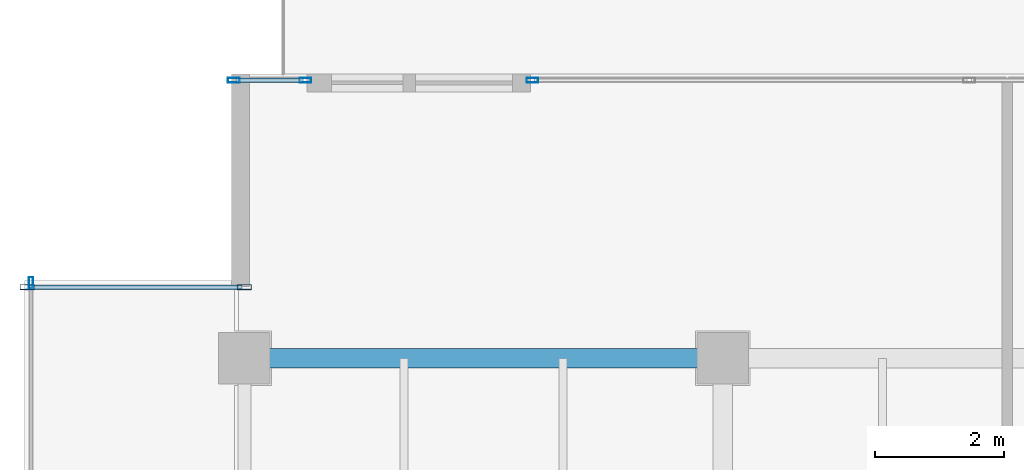
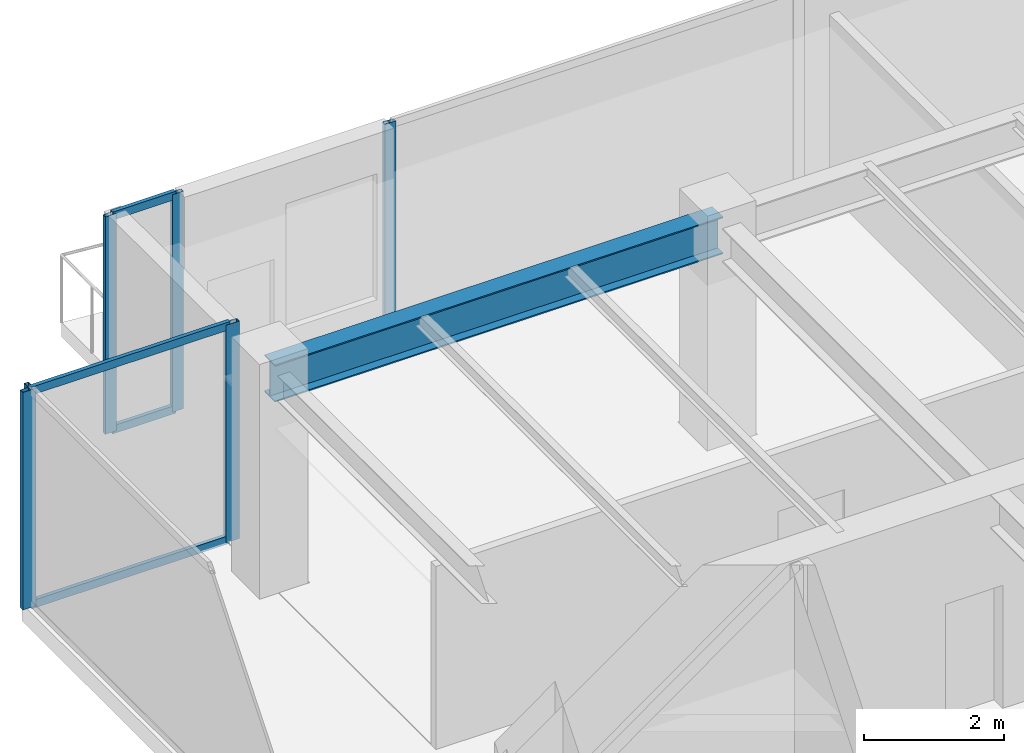
# One storey, part 14 of 35: 10 members, 1 beam, 4 elements without a shape of their own.
"""IFC4 building model written with IfcOpenShell, lengths in metres."""

from ifc_helpers import new_model, si_unit, direction, frame, origin, origin_2d, place, context, subcontext, project, spatial, hollow_rectangle, i_section, extrude, source, transform, mapped, material, layer, layer_set, material_profile, profile_set, type_object, type_shapes, element, aggregate, save


model = new_model("IFC4")

# Units and contexts
model_context = context("Model", 3, precision=1e-05, world=origin(), true_north=direction((0.0, 1.0)))
body_context = subcontext(model_context, "Body", "Model", "MODEL_VIEW")
ifc_project = project(units=[si_unit("LENGTHUNIT", "METRE"), si_unit("AREAUNIT", "SQUARE_METRE"), si_unit("VOLUMEUNIT", "CUBIC_METRE"), si_unit("PLANEANGLEUNIT", "RADIAN"), si_unit("MASSUNIT", "GRAM", prefix="KILO")], contexts=[model_context])

# Site, building, storey
site_placement = place(None, origin())
site = spatial("IfcSite", under=ifc_project, at=site_placement, CompositionType="ELEMENT")
building_placement = place(site_placement, origin())
building = spatial("IfcBuilding", under=site, at=building_placement, Name="Haelvirn Gate Laboratories", CompositionType="ELEMENT")
storey_placement = place(building_placement, frame((0.0, 0.0, 283.39990234375)))
storey = spatial("IfcBuildingStorey", under=building, at=storey_placement, Name="L68", CompositionType="ELEMENT", Elevation=283.39990234375)

# Beam
ifc_material_1 = material(Name="Steel SM355", Category="steel")
ifc_material_profile_1 = material_profile(ifc_material_1, i_section(OverallWidth=0.300048828125, OverallDepth=0.64990234375, WebThickness=0.012939453125, FlangeThickness=0.02197265625, at=origin_2d()), Name="H-650x300x13x22")
ifc_profile_set_1 = profile_set([ifc_material_profile_1], Name="Steel SM355")
beam_type = type_object("IfcBeamType", Name="BM-G-650", PredefinedType="BEAM", material=ifc_profile_set_1)
shared_shape_1 = source(origin(), body_context, "Body", "SweptSolid", [
    extrude(i_section(OverallWidth=0.300048828125, OverallDepth=0.64990234375, WebThickness=0.012939453125, FlangeThickness=0.02197265625, at=origin_2d()), origin(), (0.0, 0.0, 1.0), 7.400146484375),
])
type_shapes(beam_type, [shared_shape_1])
beam_placement = place(storey_placement, frame((7.39990234375, 41.60009765625, 3.47509765625), z_axis=(1.0, 0.0, 0.0), x_axis=(0.0, 1.0, 0.0)))
element("IfcBeam", 1, at=beam_placement, inside=storey, type_object=beam_type, Name="L68 Primary Girder Y41.6 (7.4-14.8)", PredefinedType="BEAM", context=body_context, shape_type="MappedRepresentation", body=[
    mapped(shared_shape_1, transform((0.0, 0.0, 0.0), scale=1.0)),
])

# Curtain wall, members
ifc_material_2 = material(Name="Anodised bronze unitised aluminium & triple low-E glass", Category="aluminium")
ifc_layer_1 = layer(ifc_material_2, 0.181884765625, Name="CW-SYS-5")
ifc_layer_set_1 = layer_set([ifc_layer_1], Name="Anodised bronze unitised aluminium & triple low-E glass")
curtain_wall_type_1 = type_object("IfcCurtainWallType", Name="CW-SYS-5", PredefinedType="NOTDEFINED", material=ifc_layer_set_1)
curtain_wall_1_placement = place(storey_placement, origin())
curtain_wall_1 = element("IfcCurtainWall", 2, at=curtain_wall_1_placement, inside=storey, type_object=curtain_wall_type_1, Name="L68 Unitised Curtain Wall CW-L68-P0-E16-1", PredefinedType="NOTDEFINED")
ifc_material_3 = material(Name="Extruded aluminium 6063-T6 (anodised bronze)", Category="aluminium")
ifc_material_profile_2 = material_profile(ifc_material_3, hollow_rectangle(XDim=0.06494140625, YDim=0.139892578125, WallThickness=0.00390625, at=origin_2d()), Name="CWT-140x65x4")
ifc_profile_set_2 = profile_set([ifc_material_profile_2], Name="Extruded aluminium 6063-T6 (anodised bronze)")
member_type_1 = type_object("IfcMemberType", Name="CWT-T140", PredefinedType="USERDEFINED", material=ifc_profile_set_2)
shared_shape_2 = source(origin(), body_context, "Body", "SweptSolid", [
    extrude(hollow_rectangle(XDim=0.06494140625, YDim=0.139892578125, WallThickness=0.00390625, at=origin_2d()), origin(), (0.0, 0.0, 1.0), 3.280029296875),
])
member_1_placement = place(storey_placement, frame((4.080078125, 42.699951171875, 0.03271484375), z_axis=(1.0, 0.0, 0.0), x_axis=(0.0, 1.0, 0.0)))
member_1 = element("IfcMember", 3, at=member_1_placement, type_object=member_type_1, Name="CW5 transom 1.1", ObjectType="TRANSOM", PredefinedType="USERDEFINED", context=body_context, shape_type="MappedRepresentation", body=[
    mapped(shared_shape_2, transform((0.0, 0.0, 0.0), scale=1.0)),
])
member_2_placement = place(storey_placement, frame((4.080078125, 42.699951171875, 3.767578125), z_axis=(1.0, 0.0, 0.0), x_axis=(0.0, 1.0, 0.0)))
member_2 = element("IfcMember", 4, at=member_2_placement, type_object=member_type_1, Name="CW5 transom 1.2", ObjectType="TRANSOM", PredefinedType="USERDEFINED", context=body_context, shape_type="MappedRepresentation", body=[
    mapped(shared_shape_2, transform((0.0, 0.0, 0.0), scale=1.0)),
])

ifc_layer_2 = layer(ifc_material_2, 0.176025390625, Name="CW-SYS-4")
ifc_layer_set_2 = layer_set([ifc_layer_2], Name="Anodised bronze unitised aluminium & triple low-E glass")
curtain_wall_type_2 = type_object("IfcCurtainWallType", Name="CW-SYS-4", PredefinedType="NOTDEFINED", material=ifc_layer_set_2)
curtain_wall_2_placement = place(storey_placement, origin())
curtain_wall_2 = element("IfcCurtainWall", 5, at=curtain_wall_2_placement, inside=storey, type_object=curtain_wall_type_2, Name="L68 Unitised Curtain Wall CW-L68-P0-E14-1", PredefinedType="NOTDEFINED")
ifc_material_profile_3 = material_profile(ifc_material_3, hollow_rectangle(XDim=0.070068359375, YDim=0.179931640625, WallThickness=0.0048828125, at=origin_2d()), Name="CWM-180x70x5")
ifc_profile_set_3 = profile_set([ifc_material_profile_3], Name="Extruded aluminium 6063-T6 (anodised bronze)")
member_type_2 = type_object("IfcMemberType", Name="CWM-T180", PredefinedType="MULLION", material=ifc_profile_set_3)
shared_shape_3 = source(origin(), body_context, "Body", "SweptSolid", [
    extrude(hollow_rectangle(XDim=0.070068359375, YDim=0.179931640625, WallThickness=0.0048828125, at=origin_2d()), origin(), (0.0, 0.0, 1.0), 3.800048828125),
])
type_shapes(member_type_2, [shared_shape_3])
member_3_placement = place(storey_placement, frame((7.235107421875, 45.89990234375, 0.0), z_axis=(0.0, 0.0, 1.0), x_axis=(0.0, 1.0, 0.0)))
member_3 = element("IfcMember", 6, at=member_3_placement, type_object=member_type_2, Name="CW4 mullion 1", PredefinedType="MULLION", context=body_context, shape_type="MappedRepresentation", body=[
    mapped(shared_shape_3, transform((0.0, 0.0, 0.0), scale=1.0)),
])
member_4_placement = place(storey_placement, frame((8.344970703125, 45.89990234375, 0.0), z_axis=(0.0, 0.0, 1.0), x_axis=(0.0, 1.0, 0.0)))
member_4 = element("IfcMember", 7, at=member_4_placement, type_object=member_type_2, Name="CW4 mullion 2", PredefinedType="MULLION", context=body_context, shape_type="MappedRepresentation", body=[
    mapped(shared_shape_3, transform((0.0, 0.0, 0.0), scale=1.0)),
])

# Curtain wall, member
curtain_wall_3_placement = place(storey_placement, origin())
curtain_wall_3 = element("IfcCurtainWall", 8, at=curtain_wall_3_placement, inside=storey, type_object=curtain_wall_type_2, Name="L68 Unitised Curtain Wall CW-L68-P0-E14-2", PredefinedType="NOTDEFINED")
member_5_placement = place(storey_placement, frame((11.85498046875, 45.89990234375, 0.0), z_axis=(0.0, 0.0, 1.0), x_axis=(0.0, 1.0, 0.0)))
member_5 = element("IfcMember", 9, at=member_5_placement, type_object=member_type_2, Name="CW4 mullion 1", PredefinedType="MULLION", context=body_context, shape_type="MappedRepresentation", body=[
    mapped(shared_shape_3, transform((0.0, 0.0, 0.0), scale=1.0)),
])
aggregate(curtain_wall_3, [member_5])

curtain_wall_4_placement = place(storey_placement, origin())
curtain_wall_4 = element("IfcCurtainWall", 10, at=curtain_wall_4_placement, inside=storey, type_object=curtain_wall_type_2, Name="L68 Unitised Curtain Wall CW-L68-P0-E17", PredefinedType="NOTDEFINED")
member_6_placement = place(storey_placement, frame((4.10009765625, 42.764892578125, 0.0), z_axis=(0.0, 0.0, 1.0), x_axis=(1.0, 0.0, 0.0)))
member_6 = element("IfcMember", 11, at=member_6_placement, type_object=member_type_2, Name="CW4 mullion 1", PredefinedType="MULLION", context=body_context, shape_type="MappedRepresentation", body=[
    mapped(shared_shape_3, transform((0.0, 0.0, 0.0), scale=1.0)),
])
aggregate(curtain_wall_4, [member_6])

# Member
ifc_material_profile_4 = material_profile(ifc_material_3, hollow_rectangle(XDim=0.080078125, YDim=0.219970703125, WallThickness=0.006103515625, at=origin_2d()), Name="CWM-220x80x6")
ifc_profile_set_4 = profile_set([ifc_material_profile_4], Name="Extruded aluminium 6063-T6 (anodised bronze)")
member_type_3 = type_object("IfcMemberType", Name="CWM-T220", PredefinedType="MULLION", material=ifc_profile_set_4)
shared_shape_4 = source(origin(), body_context, "Body", "SweptSolid", [
    extrude(hollow_rectangle(XDim=0.080078125, YDim=0.219970703125, WallThickness=0.006103515625, at=origin_2d()), origin(), (0.0, 0.0, 1.0), 3.800048828125),
])
type_shapes(member_type_3, [shared_shape_4])
member_7_placement = place(storey_placement, frame((4.0400390625, 42.699951171875, 0.0), z_axis=(0.0, 0.0, 1.0), x_axis=(0.0, 1.0, 0.0)))
member_7 = element("IfcMember", 12, at=member_7_placement, type_object=member_type_3, Name="CW5 mullion 1", PredefinedType="MULLION", context=body_context, shape_type="MappedRepresentation", body=[
    mapped(shared_shape_4, transform((0.0, 0.0, 0.0), scale=1.0)),
])

member_8_placement = place(storey_placement, frame((7.39990234375, 42.699951171875, 0.0), z_axis=(0.0, 0.0, 1.0), x_axis=(0.0, 1.0, 0.0)))
member_8 = element("IfcMember", 13, at=member_8_placement, type_object=member_type_3, Name="CW5 mullion 2", PredefinedType="MULLION", context=body_context, shape_type="MappedRepresentation", body=[
    mapped(shared_shape_4, transform((0.0, 0.0, 0.0), scale=1.0)),
])

aggregate(curtain_wall_1, [member_7, member_8, member_1, member_2])

shared_shape_5 = source(origin(), body_context, "Body", "SweptSolid", [
    extrude(hollow_rectangle(XDim=0.06494140625, YDim=0.139892578125, WallThickness=0.00390625, at=origin_2d()), origin(), (0.0, 0.0, 1.0), 1.0400390625),
])
type_shapes(member_type_1, [shared_shape_2, shared_shape_5])
member_9_placement = place(storey_placement, frame((7.27001953125, 45.89990234375, 0.03271484375), z_axis=(1.0, 0.0, 0.0), x_axis=(0.0, 1.0, 0.0)))
member_9 = element("IfcMember", 14, at=member_9_placement, type_object=member_type_1, Name="CW4 transom 1.1", ObjectType="TRANSOM", PredefinedType="USERDEFINED", context=body_context, shape_type="MappedRepresentation", body=[
    mapped(shared_shape_5, transform((0.0, 0.0, 0.0), scale=1.0)),
])

member_10_placement = place(storey_placement, frame((7.27001953125, 45.89990234375, 3.767578125), z_axis=(1.0, 0.0, 0.0), x_axis=(0.0, 1.0, 0.0)))
member_10 = element("IfcMember", 15, at=member_10_placement, type_object=member_type_1, Name="CW4 transom 1.2", ObjectType="TRANSOM", PredefinedType="USERDEFINED", context=body_context, shape_type="MappedRepresentation", body=[
    mapped(shared_shape_5, transform((0.0, 0.0, 0.0), scale=1.0)),
])

aggregate(curtain_wall_2, [member_3, member_4, member_9, member_10])

save(model, "model.ifc")
